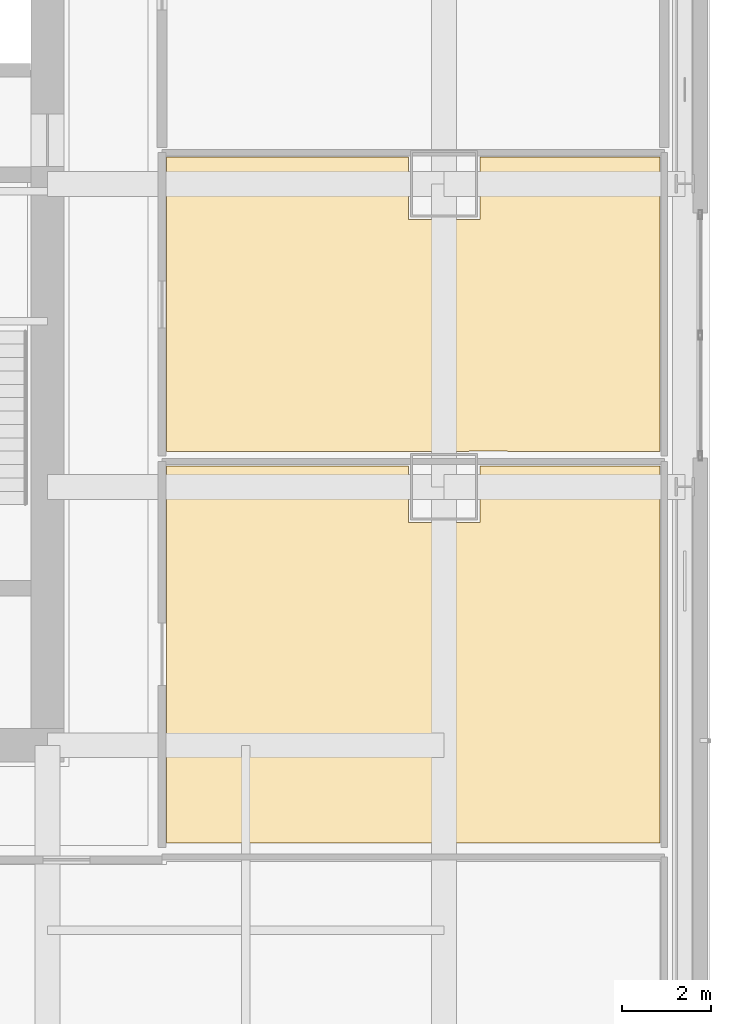
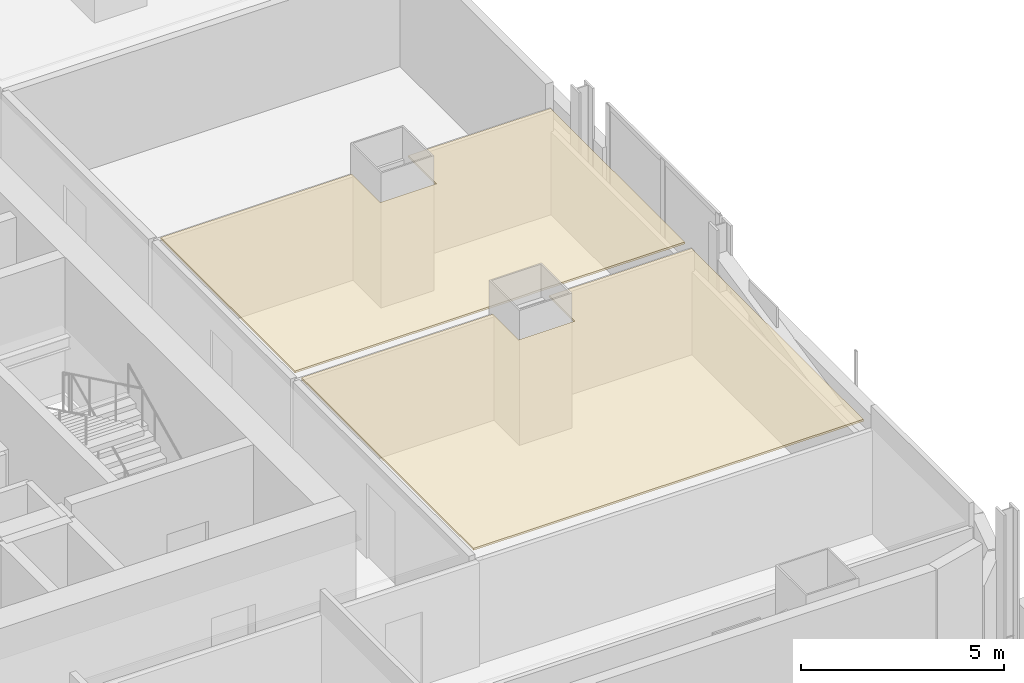
# One storey, part 23 of 28: 2 coverings.
"""IFC4 building model written with IfcOpenShell, lengths in metres."""

from ifc_helpers import new_model, si_unit, direction, frame, origin, place, context, subcontext, project, spatial, polyline, outline, extrude, material, layer, layer_set, type_object, element, save


model = new_model("IFC4")

# Units and contexts
model_context = context("Model", 3, precision=1e-05, world=origin(), true_north=direction((0.0, 1.0)))
body_context = subcontext(model_context, "Body", "Model", "MODEL_VIEW")
ifc_project = project(units=[si_unit("LENGTHUNIT", "METRE"), si_unit("AREAUNIT", "SQUARE_METRE"), si_unit("VOLUMEUNIT", "CUBIC_METRE"), si_unit("PLANEANGLEUNIT", "RADIAN"), si_unit("MASSUNIT", "GRAM", prefix="KILO")], contexts=[model_context])

# Site, building, storey
site_placement = place(None, origin())
site = spatial("IfcSite", under=ifc_project, at=site_placement, CompositionType="ELEMENT")
building_placement = place(site_placement, origin())
building = spatial("IfcBuilding", under=site, at=building_placement, Name="Punatoya Terracotta Tower", CompositionType="ELEMENT")
storey_placement = place(building_placement, frame((0.0, 0.0, 93.0)))
storey = spatial("IfcBuildingStorey", under=building, at=storey_placement, Name="L21", CompositionType="ELEMENT", Elevation=93.0)

# Coverings
ifc_material = material(Name="Acoustic Mineral Fibre Ceiling")
ifc_layer = layer(ifc_material, 0.06005859375)
ifc_layer_set = layer_set([ifc_layer], Name="Acoustic Mineral Fibre Ceiling")
covering_type = type_object("IfcCoveringType", Name="COV-CEIL-60", PredefinedType="CEILING", material=ifc_layer_set)
covering_1_placement = place(storey_placement, frame((0.0, 0.0, 3.159912109375)))
element("IfcCovering", 1, at=covering_1_placement, inside=storey, type_object=covering_type, Name="L21 Open-Plan Press Briefing Room Acoustic Ceiling", PredefinedType="CEILING", context=body_context, shape_type="SweptSolid", body=[
    extrude(outline(polyline([(23.93994140625, -11.389892578125), (23.93994140625, -2.931884765625), (19.89990234375, -2.931884765625), (19.89990234375, -4.199951171875), (18.300048828125, -4.199951171875), (18.300048828125, -2.931884765625), (12.8701171875, -2.931884765625), (12.8701171875, -11.389892578125), (23.93994140625, -11.389892578125)])), origin(), (0.0, 0.0, 1.0), 0.06005859375),
])
covering_2_placement = place(storey_placement, frame((0.0, 0.0, 3.159912109375)))
element("IfcCovering", 2, at=covering_2_placement, inside=storey, type_object=covering_type, Name="L21 Open-Plan Acoustic Wellness Room Acoustic Ceiling", PredefinedType="CEILING", context=body_context, shape_type="SweptSolid", body=[
    extrude(outline(polyline([(18.300048828125, -2.612060546875), (19.89990234375, -2.60009765625), (23.93994140625, -2.612060546875), (23.93994140625, 3.998046875), (19.89990234375, 3.998046875), (19.89990234375, 2.60009765625), (18.300048828125, 2.60009765625), (18.300048828125, 3.998046875), (12.8701171875, 3.998046875), (12.8701171875, -2.612060546875), (18.300048828125, -2.612060546875)])), origin(), (0.0, 0.0, 1.0), 0.06005859375),
])

save(model, "model.ifc")
